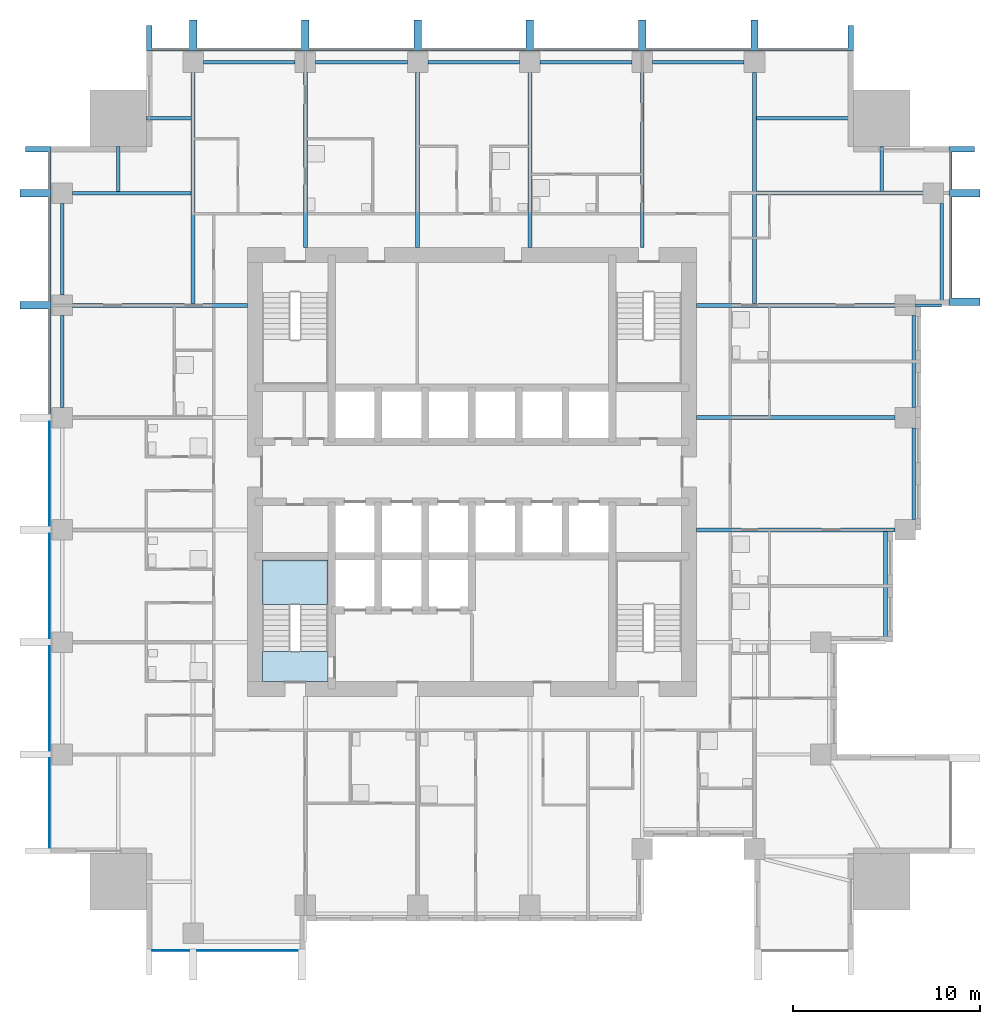
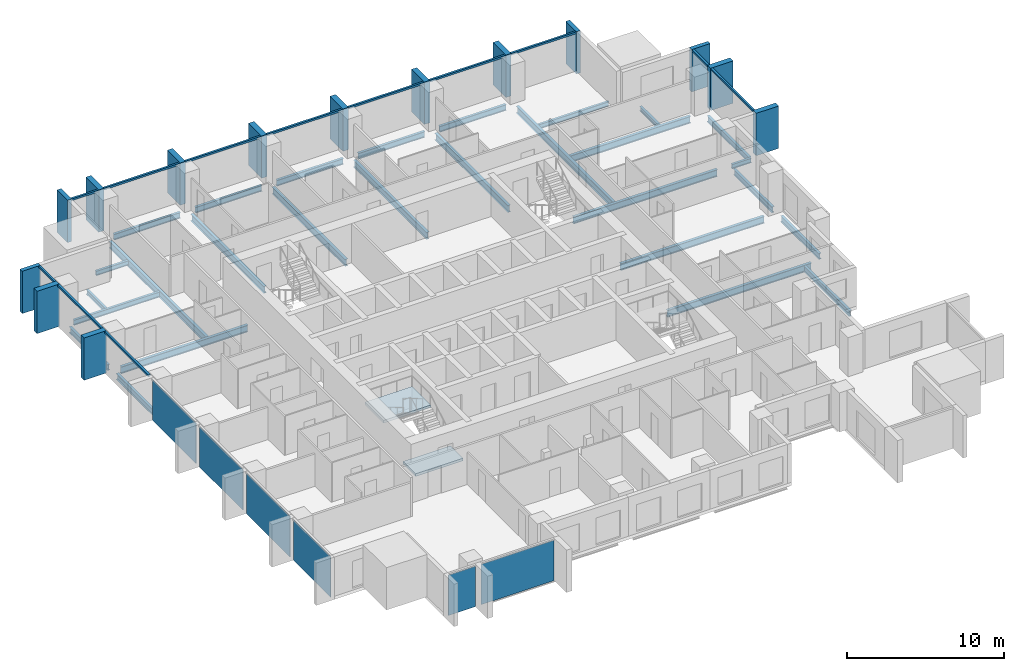
# One storey, part 2 of 10: 28 beams, 26 members, 6 plates, 2 slabs, 5 elements without a shape of their own.
"""IFC4 building model written with IfcOpenShell, lengths in metres."""

from ifc_helpers import new_model, si_unit, direction, frame, origin, origin_2d, place, context, subcontext, project, spatial, polyline, rectangle, i_section, outline, extrude, material, layer, layer_set, material_profile, profile_set, type_object, element, aggregate, save


model = new_model("IFC4")

# Units and contexts
model_context = context("Model", 3, precision=1e-05, world=origin(), true_north=direction((0.0, 1.0)))
body_context = subcontext(model_context, "Body", "Model", "MODEL_VIEW")
ifc_project = project(units=[si_unit("LENGTHUNIT", "METRE"), si_unit("AREAUNIT", "SQUARE_METRE"), si_unit("VOLUMEUNIT", "CUBIC_METRE"), si_unit("PLANEANGLEUNIT", "RADIAN"), si_unit("MASSUNIT", "GRAM", prefix="KILO")], contexts=[model_context])

# Site, building, storey
site_placement = place(None, origin())
site = spatial("IfcSite", under=ifc_project, at=site_placement, CompositionType="ELEMENT")
building_placement = place(site_placement, origin())
building = spatial("IfcBuilding", under=site, at=building_placement, Name="Amberfall Residences", CompositionType="ELEMENT")
storey_placement = place(building_placement, frame((0.0, 0.0, 105.10009765625)))
storey = spatial("IfcBuildingStorey", under=building, at=storey_placement, Name="L28", CompositionType="ELEMENT", Elevation=105.10009765625)

# Curtain wall, members
ifc_material_1 = material(Name="Bronze anodised aluminium and glass", Category="aluminium")
curtain_wall_type = type_object("IfcCurtainWallType", Name="Curtain wall CW1 tower unit", PredefinedType="USERDEFINED", material=ifc_material_1)
curtain_wall_1_placement = place(storey_placement, origin())
curtain_wall_1 = element("IfcCurtainWall", 1, at=curtain_wall_1_placement, inside=storey, type_object=curtain_wall_type, Name="Curtain wall L28 E E10", ObjectType="UNITISED CURTAIN WALL", PredefinedType="USERDEFINED")
ifc_material_2 = material(Name="Bronze anodised aluminium", Category="aluminium")
ifc_material_profile_1 = material_profile(ifc_material_2, rectangle(XDim=0.14990234375, YDim=0.14990234375, at=origin_2d()), Name="CW1 transom 150 x 150 bronze")
ifc_profile_set_1 = profile_set([ifc_material_profile_1], Name="Bronze anodised aluminium")
member_type_1 = type_object("IfcMemberType", Name="CW1 transom 150 x 150 bronze", PredefinedType="USERDEFINED", material=ifc_profile_set_1)
member_1_placement = place(storey_placement, frame((100.074951171875, 54.800048828125, 2.974853515625), z_axis=(0.0, 1.0, 0.0), x_axis=(-1.0, 0.0, 0.0)))
member_1 = element("IfcMember", 2, at=member_1_placement, type_object=member_type_1, Name="CW1 transom 1.1", ObjectType="TRANSOM", PredefinedType="USERDEFINED", context=body_context, shape_type="SweptSolid", body=[
    extrude(rectangle(XDim=0.14990234375, YDim=0.14990234375, at=origin_2d()), origin(), (0.0, 0.0, 1.0), 5.39990234375),
])
member_2_placement = place(storey_placement, frame((100.074951171875, 60.60009765625, 2.974853515625), z_axis=(0.0, 1.0, 0.0), x_axis=(-1.0, 0.0, 0.0)))
member_2 = element("IfcMember", 3, at=member_2_placement, type_object=member_type_1, Name="CW1 transom 2.1", ObjectType="TRANSOM", PredefinedType="USERDEFINED", context=body_context, shape_type="SweptSolid", body=[
    extrude(rectangle(XDim=0.14990234375, YDim=0.14990234375, at=origin_2d()), origin(), (0.0, 0.0, 1.0), 2.0),
])

curtain_wall_2_placement = place(storey_placement, origin())
curtain_wall_2 = element("IfcCurtainWall", 4, at=curtain_wall_2_placement, inside=storey, type_object=curtain_wall_type, Name="Curtain wall L28 N N1", ObjectType="UNITISED CURTAIN WALL", PredefinedType="USERDEFINED")
member_3_placement = place(storey_placement, frame((94.60009765625, 68.074951171875, 2.974853515625), z_axis=(-1.0, 0.0, 0.0), x_axis=(0.0, -1.0, 0.0)))
member_3 = element("IfcMember", 5, at=member_3_placement, type_object=member_type_1, Name="CW1 transom 1.1", ObjectType="TRANSOM", PredefinedType="USERDEFINED", context=body_context, shape_type="SweptSolid", body=[
    extrude(rectangle(XDim=0.14990234375, YDim=0.14990234375, at=origin_2d()), origin(), (0.0, 0.0, 1.0), 4.800048828125),
])
member_4_placement = place(storey_placement, frame((89.39990234375, 68.074951171875, 2.974853515625), z_axis=(-1.0, 0.0, 0.0), x_axis=(0.0, -1.0, 0.0)))
member_4 = element("IfcMember", 6, at=member_4_placement, type_object=member_type_1, Name="CW1 transom 2.1", ObjectType="TRANSOM", PredefinedType="USERDEFINED", context=body_context, shape_type="SweptSolid", body=[
    extrude(rectangle(XDim=0.14990234375, YDim=0.14990234375, at=origin_2d()), origin(), (0.0, 0.0, 1.0), 5.599853515625),
])
member_5_placement = place(storey_placement, frame((83.39990234375, 68.074951171875, 2.974853515625), z_axis=(-1.0, 0.0, 0.0), x_axis=(0.0, -1.0, 0.0)))
member_5 = element("IfcMember", 7, at=member_5_placement, type_object=member_type_1, Name="CW1 transom 3.1", ObjectType="TRANSOM", PredefinedType="USERDEFINED", context=body_context, shape_type="SweptSolid", body=[
    extrude(rectangle(XDim=0.14990234375, YDim=0.14990234375, at=origin_2d()), origin(), (0.0, 0.0, 1.0), 5.599853515625),
])
member_6_placement = place(storey_placement, frame((77.39990234375, 68.074951171875, 2.974853515625), z_axis=(-1.0, 0.0, 0.0), x_axis=(0.0, -1.0, 0.0)))
member_6 = element("IfcMember", 8, at=member_6_placement, type_object=member_type_1, Name="CW1 transom 4.1", ObjectType="TRANSOM", PredefinedType="USERDEFINED", context=body_context, shape_type="SweptSolid", body=[
    extrude(rectangle(XDim=0.14990234375, YDim=0.14990234375, at=origin_2d()), origin(), (0.0, 0.0, 1.0), 5.599853515625),
])
member_7_placement = place(storey_placement, frame((71.39990234375, 68.074951171875, 2.974853515625), z_axis=(-1.0, 0.0, 0.0), x_axis=(0.0, -1.0, 0.0)))
member_7 = element("IfcMember", 9, at=member_7_placement, type_object=member_type_1, Name="CW1 transom 5.1", ObjectType="TRANSOM", PredefinedType="USERDEFINED", context=body_context, shape_type="SweptSolid", body=[
    extrude(rectangle(XDim=0.14990234375, YDim=0.14990234375, at=origin_2d()), origin(), (0.0, 0.0, 1.0), 5.599853515625),
])
member_8_placement = place(storey_placement, frame((65.39990234375, 68.074951171875, 2.974853515625), z_axis=(-1.0, 0.0, 0.0), x_axis=(0.0, -1.0, 0.0)))
member_8 = element("IfcMember", 10, at=member_8_placement, type_object=member_type_1, Name="CW1 transom 6.1", ObjectType="TRANSOM", PredefinedType="USERDEFINED", context=body_context, shape_type="SweptSolid", body=[
    extrude(rectangle(XDim=0.14990234375, YDim=0.14990234375, at=origin_2d()), origin(), (0.0, 0.0, 1.0), 5.599853515625),
])
member_9_placement = place(storey_placement, frame((59.39990234375, 68.074951171875, 2.974853515625), z_axis=(-1.0, 0.0, 0.0), x_axis=(0.0, -1.0, 0.0)))
member_9 = element("IfcMember", 11, at=member_9_placement, type_object=member_type_1, Name="CW1 transom 7.1", ObjectType="TRANSOM", PredefinedType="USERDEFINED", context=body_context, shape_type="SweptSolid", body=[
    extrude(rectangle(XDim=0.14990234375, YDim=0.14990234375, at=origin_2d()), origin(), (0.0, 0.0, 1.0), 2.0),
])

curtain_wall_3_placement = place(storey_placement, origin())
curtain_wall_3 = element("IfcCurtainWall", 12, at=curtain_wall_3_placement, inside=storey, type_object=curtain_wall_type, Name="Curtain wall L28 W W1", ObjectType="UNITISED CURTAIN WALL", PredefinedType="USERDEFINED")
member_10_placement = place(storey_placement, frame((51.925048828125, 62.60009765625, 2.974853515625), z_axis=(0.0, -1.0, 0.0), x_axis=(1.0, 0.0, 0.0)))
member_10 = element("IfcMember", 13, at=member_10_placement, type_object=member_type_1, Name="CW1 transom 1.1", ObjectType="TRANSOM", PredefinedType="USERDEFINED", context=body_context, shape_type="SweptSolid", body=[
    extrude(rectangle(XDim=0.14990234375, YDim=0.14990234375, at=origin_2d()), origin(), (0.0, 0.0, 1.0), 2.0),
])
member_11_placement = place(storey_placement, frame((51.925048828125, 60.199951171875, 2.974853515625), z_axis=(0.0, -1.0, 0.0), x_axis=(1.0, 0.0, 0.0)))
member_11 = element("IfcMember", 14, at=member_11_placement, type_object=member_type_1, Name="CW1 transom 2.1", ObjectType="TRANSOM", PredefinedType="USERDEFINED", context=body_context, shape_type="SweptSolid", body=[
    extrude(rectangle(XDim=0.14990234375, YDim=0.14990234375, at=origin_2d()), origin(), (0.0, 0.0, 1.0), 5.599853515625),
])
member_12_placement = place(storey_placement, frame((51.925048828125, 54.199951171875, 2.974853515625), z_axis=(0.0, -1.0, 0.0), x_axis=(1.0, 0.0, 0.0)))
member_12 = element("IfcMember", 15, at=member_12_placement, type_object=member_type_1, Name="CW1 transom 3.1", ObjectType="TRANSOM", PredefinedType="USERDEFINED", context=body_context, shape_type="SweptSolid", body=[
    extrude(rectangle(XDim=0.14990234375, YDim=0.14990234375, at=origin_2d()), origin(), (0.0, 0.0, 1.0), 5.599853515625),
])

# Beam
ifc_material_3 = material(Name="Steel S355", Category="steel")
ifc_material_profile_2 = material_profile(ifc_material_3, i_section(OverallWidth=0.171142578125, OverallDepth=0.351318359375, WebThickness=0.007080078125, FlangeThickness=0.009765625, FilletRadius=0.01025390625, at=origin_2d()), Name="UB 356x171x45")
ifc_profile_set_2 = profile_set([ifc_material_profile_2], Name="Steel S355")
beam_type_1 = type_object("IfcBeamType", Name="Cantilever girder UB 356x171x45", PredefinedType="BEAM", material=ifc_profile_set_2)
beam_1_placement = place(storey_placement, frame((98.199951171875, 54.39990234375, -0.42578125), z_axis=(1.0, 0.0, 0.0), x_axis=(0.0, 1.0, 0.0)))
element("IfcBeam", 16, at=beam_1_placement, inside=storey, type_object=beam_type_1, Name="Cantilever girder B8 L28 20", PredefinedType="BEAM", context=body_context, shape_type="SweptSolid", body=[
    extrude(i_section(OverallWidth=0.171142578125, OverallDepth=0.351318359375, WebThickness=0.007080078125, FlangeThickness=0.009765625, FilletRadius=0.01025390625, at=origin_2d()), origin(), (0.0, 0.0, 1.0), 1.400146484375),
])

# Member
ifc_material_profile_3 = material_profile(ifc_material_2, rectangle(XDim=1.35009765625, YDim=0.300048828125, at=origin_2d()), Name="Corner fin 300 x 1350 bronze")
ifc_profile_set_3 = profile_set([ifc_material_profile_3], Name="Bronze anodised aluminium")
member_type_2 = type_object("IfcMemberType", Name="Corner fin 300 x 1350 bronze", PredefinedType="MULLION", material=ifc_profile_set_3)
member_13_placement = place(storey_placement, frame((100.675048828125, 62.75, -0.25), z_axis=(0.0, 0.0, 1.0), x_axis=(-1.0, 0.0, 0.0)))
member_13 = element("IfcMember", 17, at=member_13_placement, type_object=member_type_2, Name="CW FIN 3", PredefinedType="MULLION", context=body_context, shape_type="SweptSolid", body=[
    extrude(rectangle(XDim=1.35009765625, YDim=0.300048828125, at=origin_2d()), origin(), (0.0, 0.0, 1.0), 3.2998046875),
])

member_14_placement = place(storey_placement, frame((94.75, 68.675048828125, -0.25), z_axis=(0.0, 0.0, 1.0), x_axis=(0.0, -1.0, 0.0)))
member_14 = element("IfcMember", 18, at=member_14_placement, type_object=member_type_2, Name="CW FIN 1", PredefinedType="MULLION", context=body_context, shape_type="SweptSolid", body=[
    extrude(rectangle(XDim=1.35009765625, YDim=0.300048828125, at=origin_2d()), origin(), (0.0, 0.0, 1.0), 3.2998046875),
])

member_15_placement = place(storey_placement, frame((57.25, 68.675048828125, -0.25), z_axis=(0.0, 0.0, 1.0), x_axis=(0.0, -1.0, 0.0)))
member_15 = element("IfcMember", 19, at=member_15_placement, type_object=member_type_2, Name="CW FIN 8", PredefinedType="MULLION", context=body_context, shape_type="SweptSolid", body=[
    extrude(rectangle(XDim=1.35009765625, YDim=0.300048828125, at=origin_2d()), origin(), (0.0, 0.0, 1.0), 3.2998046875),
])

member_16_placement = place(storey_placement, frame((51.324951171875, 62.75, -0.25), z_axis=(0.0, 0.0, 1.0), x_axis=(1.0, 0.0, 0.0)))
member_16 = element("IfcMember", 20, at=member_16_placement, type_object=member_type_2, Name="CW FIN 1", PredefinedType="MULLION", context=body_context, shape_type="SweptSolid", body=[
    extrude(rectangle(XDim=1.35009765625, YDim=0.300048828125, at=origin_2d()), origin(), (0.0, 0.0, 1.0), 3.2998046875),
])

# Beams
ifc_material_profile_4 = material_profile(ifc_material_3, i_section(OverallWidth=0.18994140625, OverallDepth=0.453369140625, WebThickness=0.008544921875, FlangeThickness=0.0126953125, FilletRadius=0.01025390625, at=origin_2d()), Name="UB 457x191x67")
ifc_profile_set_4 = profile_set([ifc_material_profile_4], Name="Steel S355")
beam_type_2 = type_object("IfcBeamType", Name="Edge beam UB 457x191x67", PredefinedType="SPANDREL", material=ifc_profile_set_4)
beam_2_placement = place(storey_placement, frame((96.60009765625, 36.47998046875, -0.476806640625), z_axis=(0.0, 1.0, 0.0), x_axis=(-1.0, 0.0, 0.0)))
element("IfcBeam", 21, at=beam_2_placement, inside=storey, type_object=beam_type_2, Name="Edge beam B1 L28 15", PredefinedType="SPANDREL", context=body_context, shape_type="SweptSolid", body=[
    extrude(i_section(OverallWidth=0.18994140625, OverallDepth=0.453369140625, WebThickness=0.008544921875, FlangeThickness=0.0126953125, FilletRadius=0.01025390625, at=origin_2d()), origin(), (0.0, 0.0, 1.0), 5.840087890625),
])
for number, where, z_axis, x_axis, name in (
    (22, (98.10009765625, 42.949951171875, -0.476806640625), (0.0, 1.0, 0.0), (-1.0, 0.0, 0.0), "Edge beam B1 L28 16"),
    (23, (98.10009765625, 48.949951171875, -0.476806640625), (0.0, 1.0, 0.0), (-1.0, 0.0, 0.0), "Edge beam B1 L28 17"),
):
    element("IfcBeam", number, at=place(storey_placement, frame(where, z_axis=z_axis, x_axis=x_axis)), inside=storey, type_object=beam_type_2, Name=name, PredefinedType="SPANDREL", context=body_context, shape_type="SweptSolid", body=[
        extrude(i_section(OverallWidth=0.18994140625, OverallDepth=0.453369140625, WebThickness=0.008544921875, FlangeThickness=0.0126953125, FilletRadius=0.01025390625, at=origin_2d()), origin(), (0.0, 0.0, 1.0), 4.900146484375),
    ])
beam_3_placement = place(storey_placement, frame((99.60009765625, 54.47998046875, -0.476806640625), z_axis=(0.0, 1.0, 0.0), x_axis=(-1.0, 0.0, 0.0)))
element("IfcBeam", 24, at=beam_3_placement, inside=storey, type_object=beam_type_2, Name="Edge beam B1 L28 18", PredefinedType="SPANDREL", context=body_context, shape_type="SweptSolid", body=[
    extrude(i_section(OverallWidth=0.18994140625, OverallDepth=0.453369140625, WebThickness=0.008544921875, FlangeThickness=0.0126953125, FilletRadius=0.01025390625, at=origin_2d()), origin(), (0.0, 0.0, 1.0), 5.3701171875),
])
for number, where, z_axis, x_axis, name in (
    (25, (60.14990234375, 67.39990234375, -0.476806640625), (1.0, 0.0, 0.0), (0.0, 1.0, 0.0), "Edge beam B1 L28 27"),
    (26, (66.14990234375, 67.39990234375, -0.476806640625), (1.0, 0.0, 0.0), (0.0, 1.0, 0.0), "Edge beam B1 L28 28"),
    (27, (72.14990234375, 67.39990234375, -0.476806640625), (1.0, 0.0, 0.0), (0.0, 1.0, 0.0), "Edge beam B1 L28 29"),
    (28, (78.14990234375, 67.39990234375, -0.476806640625), (1.0, 0.0, 0.0), (0.0, 1.0, 0.0), "Edge beam B1 L28 30"),
    (29, (84.14990234375, 67.39990234375, -0.476806640625), (1.0, 0.0, 0.0), (0.0, 1.0, 0.0), "Edge beam B1 L28 31"),
    (30, (52.60009765625, 48.949951171875, -0.476806640625), (0.0, 1.0, 0.0), (-1.0, 0.0, 0.0), "Edge beam B1 L28 41"),
    (31, (52.60009765625, 54.949951171875, -0.476806640625), (0.0, 1.0, 0.0), (-1.0, 0.0, 0.0), "Edge beam B1 L28 42"),
):
    element("IfcBeam", number, at=place(storey_placement, frame(where, z_axis=z_axis, x_axis=x_axis)), inside=storey, type_object=beam_type_2, Name=name, PredefinedType="SPANDREL", context=body_context, shape_type="SweptSolid", body=[
        extrude(i_section(OverallWidth=0.18994140625, OverallDepth=0.453369140625, WebThickness=0.008544921875, FlangeThickness=0.0126953125, FilletRadius=0.01025390625, at=origin_2d()), origin(), (0.0, 0.0, 1.0), 4.900146484375),
    ])

# Member
ifc_material_profile_5 = material_profile(ifc_material_2, rectangle(XDim=1.64990234375, YDim=0.39990234375, at=origin_2d()), Name="Fin 400 x 1650 bronze")
ifc_profile_set_5 = profile_set([ifc_material_profile_5], Name="Bronze anodised aluminium")
member_type_3 = type_object("IfcMemberType", Name="Fin 400 x 1650 bronze", PredefinedType="MULLION", material=ifc_profile_set_5)
member_17_placement = place(storey_placement, frame((100.824951171875, 54.60009765625, -0.25), z_axis=(0.0, 0.0, 1.0), x_axis=(-1.0, 0.0, 0.0)))
member_17 = element("IfcMember", 32, at=member_17_placement, type_object=member_type_3, Name="CW FIN 1", PredefinedType="MULLION", context=body_context, shape_type="SweptSolid", body=[
    extrude(rectangle(XDim=1.64990234375, YDim=0.39990234375, at=origin_2d()), origin(), (0.0, 0.0, 1.0), 3.2998046875),
])

member_18_placement = place(storey_placement, frame((100.824951171875, 60.39990234375, -0.25), z_axis=(0.0, 0.0, 1.0), x_axis=(-1.0, 0.0, 0.0)))
member_18 = element("IfcMember", 33, at=member_18_placement, type_object=member_type_3, Name="CW FIN 2", PredefinedType="MULLION", context=body_context, shape_type="SweptSolid", body=[
    extrude(rectangle(XDim=1.64990234375, YDim=0.39990234375, at=origin_2d()), origin(), (0.0, 0.0, 1.0), 3.2998046875),
])

aggregate(curtain_wall_1, [member_17, member_18, member_13, member_1, member_2])

member_19_placement = place(storey_placement, frame((89.60009765625, 68.824951171875, -0.25), z_axis=(0.0, 0.0, 1.0), x_axis=(0.0, -1.0, 0.0)))
member_19 = element("IfcMember", 34, at=member_19_placement, type_object=member_type_3, Name="CW FIN 2", PredefinedType="MULLION", context=body_context, shape_type="SweptSolid", body=[
    extrude(rectangle(XDim=1.64990234375, YDim=0.39990234375, at=origin_2d()), origin(), (0.0, 0.0, 1.0), 3.2998046875),
])

member_20_placement = place(storey_placement, frame((83.60009765625, 68.824951171875, -0.25), z_axis=(0.0, 0.0, 1.0), x_axis=(0.0, -1.0, 0.0)))
member_20 = element("IfcMember", 35, at=member_20_placement, type_object=member_type_3, Name="CW FIN 3", PredefinedType="MULLION", context=body_context, shape_type="SweptSolid", body=[
    extrude(rectangle(XDim=1.64990234375, YDim=0.39990234375, at=origin_2d()), origin(), (0.0, 0.0, 1.0), 3.2998046875),
])

member_21_placement = place(storey_placement, frame((77.60009765625, 68.824951171875, -0.25), z_axis=(0.0, 0.0, 1.0), x_axis=(0.0, -1.0, 0.0)))
member_21 = element("IfcMember", 36, at=member_21_placement, type_object=member_type_3, Name="CW FIN 4", PredefinedType="MULLION", context=body_context, shape_type="SweptSolid", body=[
    extrude(rectangle(XDim=1.64990234375, YDim=0.39990234375, at=origin_2d()), origin(), (0.0, 0.0, 1.0), 3.2998046875),
])

member_22_placement = place(storey_placement, frame((71.60009765625, 68.824951171875, -0.25), z_axis=(0.0, 0.0, 1.0), x_axis=(0.0, -1.0, 0.0)))
member_22 = element("IfcMember", 37, at=member_22_placement, type_object=member_type_3, Name="CW FIN 5", PredefinedType="MULLION", context=body_context, shape_type="SweptSolid", body=[
    extrude(rectangle(XDim=1.64990234375, YDim=0.39990234375, at=origin_2d()), origin(), (0.0, 0.0, 1.0), 3.2998046875),
])

member_23_placement = place(storey_placement, frame((65.60009765625, 68.824951171875, -0.25), z_axis=(0.0, 0.0, 1.0), x_axis=(0.0, -1.0, 0.0)))
member_23 = element("IfcMember", 38, at=member_23_placement, type_object=member_type_3, Name="CW FIN 6", PredefinedType="MULLION", context=body_context, shape_type="SweptSolid", body=[
    extrude(rectangle(XDim=1.64990234375, YDim=0.39990234375, at=origin_2d()), origin(), (0.0, 0.0, 1.0), 3.2998046875),
])

member_24_placement = place(storey_placement, frame((59.60009765625, 68.824951171875, -0.25), z_axis=(0.0, 0.0, 1.0), x_axis=(0.0, -1.0, 0.0)))
member_24 = element("IfcMember", 39, at=member_24_placement, type_object=member_type_3, Name="CW FIN 7", PredefinedType="MULLION", context=body_context, shape_type="SweptSolid", body=[
    extrude(rectangle(XDim=1.64990234375, YDim=0.39990234375, at=origin_2d()), origin(), (0.0, 0.0, 1.0), 3.2998046875),
])

aggregate(curtain_wall_2, [member_14, member_19, member_20, member_21, member_22, member_23, member_24, member_15, member_3, member_4, member_5, member_6, member_7, member_8, member_9])

member_25_placement = place(storey_placement, frame((51.175048828125, 60.39990234375, -0.25), z_axis=(0.0, 0.0, 1.0), x_axis=(1.0, 0.0, 0.0)))
member_25 = element("IfcMember", 40, at=member_25_placement, type_object=member_type_3, Name="CW FIN 2", PredefinedType="MULLION", context=body_context, shape_type="SweptSolid", body=[
    extrude(rectangle(XDim=1.64990234375, YDim=0.39990234375, at=origin_2d()), origin(), (0.0, 0.0, 1.0), 3.2998046875),
])

member_26_placement = place(storey_placement, frame((51.175048828125, 54.39990234375, -0.25), z_axis=(0.0, 0.0, 1.0), x_axis=(1.0, 0.0, 0.0)))
member_26 = element("IfcMember", 41, at=member_26_placement, type_object=member_type_3, Name="CW FIN 3", PredefinedType="MULLION", context=body_context, shape_type="SweptSolid", body=[
    extrude(rectangle(XDim=1.64990234375, YDim=0.39990234375, at=origin_2d()), origin(), (0.0, 0.0, 1.0), 3.2998046875),
])

# Beams
ifc_material_profile_6 = material_profile(ifc_material_3, i_section(OverallWidth=0.177734375, OverallDepth=0.402587890625, WebThickness=0.0078125, FlangeThickness=0.010986328125, FilletRadius=0.01025390625, at=origin_2d()), Name="UB 406x178x54")
ifc_profile_set_6 = profile_set([ifc_material_profile_6], Name="Steel S355")
beam_type_3 = type_object("IfcBeamType", Name="Floor girder UB 406x178x54", PredefinedType="BEAM", material=ifc_profile_set_6)
beam_4_placement = place(storey_placement, frame((53.14990234375, 60.39990234375, -0.451416015625), z_axis=(1.0, 0.0, 0.0), x_axis=(0.0, 1.0, 0.0)))
element("IfcBeam", 42, at=beam_4_placement, inside=storey, type_object=beam_type_3, Name="Floor girder B4 L28 48", PredefinedType="BEAM", context=body_context, shape_type="SweptSolid", body=[
    extrude(i_section(OverallWidth=0.177734375, OverallDepth=0.402587890625, WebThickness=0.0078125, FlangeThickness=0.010986328125, FilletRadius=0.01025390625, at=origin_2d()), origin(), (0.0, 0.0, 1.0), 6.330078125),
])
ifc_material_profile_7 = material_profile(ifc_material_3, i_section(OverallWidth=0.210693359375, OverallDepth=0.53955078125, WebThickness=0.01171875, FlangeThickness=0.018798828125, FilletRadius=0.0126953125, at=origin_2d()), Name="UB 533x210x109")
ifc_profile_set_7 = profile_set([ifc_material_profile_7], Name="Steel S355")
beam_type_4 = type_object("IfcBeamType", Name="Floor girder UB 533x210x109", PredefinedType="BEAM", material=ifc_profile_set_7)
for number, where, z_axis, x_axis, name in (
    (43, (59.60009765625, 66.85009765625, -0.519775390625), (0.0, -1.0, 0.0), (1.0, 0.0, 0.0), "Floor girder B2 L28 32"),
    (44, (89.60009765625, 66.85009765625, -0.519775390625), (0.0, -1.0, 0.0), (1.0, 0.0, 0.0), "Floor girder B2 L28 37"),
):
    element("IfcBeam", number, at=place(storey_placement, frame(where, z_axis=z_axis, x_axis=x_axis)), inside=storey, type_object=beam_type_4, Name=name, PredefinedType="BEAM", context=body_context, shape_type="SweptSolid", body=[
        extrude(i_section(OverallWidth=0.210693359375, OverallDepth=0.53955078125, WebThickness=0.01171875, FlangeThickness=0.018798828125, FilletRadius=0.0126953125, at=origin_2d()), origin(), (0.0, 0.0, 1.0), 12.3505859375),
    ])
ifc_material_profile_8 = material_profile(ifc_material_3, i_section(OverallWidth=0.209228515625, OverallDepth=0.533203125, WebThickness=0.010009765625, FlangeThickness=0.015625, FilletRadius=0.0126953125, at=origin_2d()), Name="UB 533x210x92")
ifc_profile_set_8 = profile_set([ifc_material_profile_8], Name="Steel S355")
beam_type_5 = type_object("IfcBeamType", Name="Floor girder UB 533x210x92", PredefinedType="BEAM", material=ifc_profile_set_8)
for number, where, z_axis, x_axis, name in (
    (45, (97.10009765625, 42.39990234375, -0.5166015625), (-1.0, 0.0, 0.0), (0.0, -1.0, 0.0), "Floor girder B3 L28 23"),
    (46, (97.10009765625, 48.39990234375, -0.5166015625), (-1.0, 0.0, 0.0), (0.0, -1.0, 0.0), "Floor girder B3 L28 24"),
    (47, (97.10009765625, 54.39990234375, -0.5166015625), (-1.0, 0.0, 0.0), (0.0, -1.0, 0.0), "Floor girder B3 L28 25"),
):
    element("IfcBeam", number, at=place(storey_placement, frame(where, z_axis=z_axis, x_axis=x_axis)), inside=storey, type_object=beam_type_5, Name=name, PredefinedType="BEAM", context=body_context, shape_type="SweptSolid", body=[
        extrude(i_section(OverallWidth=0.209228515625, OverallDepth=0.533203125, WebThickness=0.010009765625, FlangeThickness=0.015625, FilletRadius=0.0126953125, at=origin_2d()), origin(), (0.0, 0.0, 1.0), 10.60009765625),
    ])
beam_5_placement = place(storey_placement, frame((98.60009765625, 60.39990234375, -0.5166015625), z_axis=(-1.0, 0.0, 0.0), x_axis=(0.0, -1.0, 0.0)))
element("IfcBeam", 48, at=beam_5_placement, inside=storey, type_object=beam_type_5, Name="Floor girder B3 L28 26", PredefinedType="BEAM", context=body_context, shape_type="SweptSolid", body=[
    extrude(i_section(OverallWidth=0.209228515625, OverallDepth=0.533203125, WebThickness=0.010009765625, FlangeThickness=0.015625, FilletRadius=0.0126953125, at=origin_2d()), origin(), (0.0, 0.0, 1.0), 8.880126953125),
])
for number, where, z_axis, x_axis, name in (
    (49, (65.60009765625, 66.85009765625, -0.5166015625), (0.0, -1.0, 0.0), (1.0, 0.0, 0.0), "Floor girder B3 L28 33"),
    (50, (71.60009765625, 66.85009765625, -0.5166015625), (0.0, -1.0, 0.0), (1.0, 0.0, 0.0), "Floor girder B3 L28 34"),
    (51, (77.60009765625, 66.85009765625, -0.5166015625), (0.0, -1.0, 0.0), (1.0, 0.0, 0.0), "Floor girder B3 L28 35"),
    (52, (83.60009765625, 66.85009765625, -0.5166015625), (0.0, -1.0, 0.0), (1.0, 0.0, 0.0), "Floor girder B3 L28 36"),
    (53, (53.14990234375, 54.39990234375, -0.5166015625), (1.0, 0.0, 0.0), (0.0, 1.0, 0.0), "Floor girder B3 L28 47"),
):
    element("IfcBeam", number, at=place(storey_placement, frame(where, z_axis=z_axis, x_axis=x_axis)), inside=storey, type_object=beam_type_5, Name=name, PredefinedType="BEAM", context=body_context, shape_type="SweptSolid", body=[
        extrude(i_section(OverallWidth=0.209228515625, OverallDepth=0.533203125, WebThickness=0.010009765625, FlangeThickness=0.015625, FilletRadius=0.0126953125, at=origin_2d()), origin(), (0.0, 0.0, 1.0), 9.35009765625),
    ])
ifc_material_profile_9 = material_profile(ifc_material_3, i_section(OverallWidth=0.171142578125, OverallDepth=0.351318359375, WebThickness=0.007080078125, FlangeThickness=0.009765625, FilletRadius=0.01025390625, at=origin_2d()), Name="UB 356x171x45")
ifc_profile_set_9 = profile_set([ifc_material_profile_9], Name="Steel S355")
beam_type_6 = type_object("IfcBeamType", Name="Link beam UB 356x171x45", PredefinedType="BEAM", material=ifc_profile_set_9)
beam_6_placement = place(storey_placement, frame((94.89990234375, 64.39990234375, -0.42578125), z_axis=(-1.0, 0.0, 0.0), x_axis=(0.0, -1.0, 0.0)))
element("IfcBeam", 54, at=beam_6_placement, inside=storey, type_object=beam_type_6, Name="Link beam B7 L28 54", PredefinedType="BEAM", context=body_context, shape_type="SweptSolid", body=[
    extrude(i_section(OverallWidth=0.171142578125, OverallDepth=0.351318359375, WebThickness=0.007080078125, FlangeThickness=0.009765625, FilletRadius=0.01025390625, at=origin_2d()), origin(), (0.0, 0.0, 1.0), 5.20458984375),
])
beam_7_placement = place(storey_placement, frame((96.39990234375, 62.89990234375, -0.42578125), z_axis=(0.0, -1.0, 0.0), x_axis=(1.0, 0.0, 0.0)))
element("IfcBeam", 55, at=beam_7_placement, inside=storey, type_object=beam_type_6, Name="Link beam B7 L28 55", PredefinedType="BEAM", context=body_context, shape_type="SweptSolid", body=[
    extrude(i_section(OverallWidth=0.171142578125, OverallDepth=0.351318359375, WebThickness=0.007080078125, FlangeThickness=0.009765625, FilletRadius=0.01025390625, at=origin_2d()), origin(), (0.0, 0.0, 1.0), 2.4052734375),
])
beam_8_placement = place(storey_placement, frame((57.10009765625, 64.39990234375, -0.42578125), z_axis=(1.0, 0.0, 0.0), x_axis=(0.0, 1.0, 0.0)))
element("IfcBeam", 56, at=beam_8_placement, inside=storey, type_object=beam_type_6, Name="Link beam B7 L28 56", PredefinedType="BEAM", context=body_context, shape_type="SweptSolid", body=[
    extrude(i_section(OverallWidth=0.171142578125, OverallDepth=0.351318359375, WebThickness=0.007080078125, FlangeThickness=0.009765625, FilletRadius=0.01025390625, at=origin_2d()), origin(), (0.0, 0.0, 1.0), 2.404541015625),
])
beam_9_placement = place(storey_placement, frame((55.60009765625, 62.89990234375, -0.42578125), z_axis=(0.0, -1.0, 0.0), x_axis=(1.0, 0.0, 0.0)))
element("IfcBeam", 57, at=beam_9_placement, inside=storey, type_object=beam_type_6, Name="Link beam B7 L28 57", PredefinedType="BEAM", context=body_context, shape_type="SweptSolid", body=[
    extrude(i_section(OverallWidth=0.171142578125, OverallDepth=0.351318359375, WebThickness=0.007080078125, FlangeThickness=0.009765625, FilletRadius=0.01025390625, at=origin_2d()), origin(), (0.0, 0.0, 1.0), 2.4208984375),
])

# Curtain wall, plates
curtain_wall_4_placement = place(storey_placement, origin())
curtain_wall_4 = element("IfcCurtainWall", 58, at=curtain_wall_4_placement, inside=storey, type_object=curtain_wall_type, Name="Curtain wall L28 S S1", ObjectType="UNITISED CURTAIN WALL", PredefinedType="USERDEFINED")
ifc_material_4 = material(Name="Tinted double glazed unit", Category="glass")
ifc_layer_1 = layer(ifc_material_4, 0.035888671875)
ifc_layer_set_1 = layer_set([ifc_layer_1], Name="CW1 panel 36 glazing")
plate_type = type_object("IfcPlateType", Name="CW1 panel 36 glazing", PredefinedType="CURTAIN_PANEL", material=ifc_layer_set_1)
plate_1_placement = place(storey_placement, frame((58.39990234375, 19.925048828125, -0.25), z_axis=(0.0, 0.0, 1.0), x_axis=(1.0, 0.0, 0.0)))
plate_1 = element("IfcPlate", 59, at=plate_1_placement, type_object=plate_type, Name="CW1 panel 1.1", PredefinedType="CURTAIN_PANEL", context=body_context, shape_type="SweptSolid", body=[
    extrude(rectangle(XDim=1.97607421875, YDim=0.035888671875, at=origin_2d()), origin(), (0.0, 0.0, 1.0), 3.14990234375),
])
plate_2_placement = place(storey_placement, frame((62.5, 19.925048828125, -0.25), z_axis=(0.0, 0.0, 1.0), x_axis=(1.0, 0.0, 0.0)))
plate_2 = element("IfcPlate", 60, at=plate_2_placement, type_object=plate_type, Name="CW1 panel 2.1", PredefinedType="CURTAIN_PANEL", context=body_context, shape_type="SweptSolid", body=[
    extrude(rectangle(XDim=5.3759765625, YDim=0.035888671875, at=origin_2d()), origin(), (0.0, 0.0, 1.0), 3.14990234375),
])
aggregate(curtain_wall_4, [plate_1, plate_2])

# Plate
plate_3_placement = place(storey_placement, frame((51.925048828125, 45.39990234375, -0.25), z_axis=(0.0, 0.0, 1.0), x_axis=(0.0, -1.0, 0.0)))
plate_3 = element("IfcPlate", 61, at=plate_3_placement, type_object=plate_type, Name="CW1 panel 4.1", PredefinedType="CURTAIN_PANEL", context=body_context, shape_type="SweptSolid", body=[
    extrude(rectangle(XDim=5.575927734375, YDim=0.035888671875, at=origin_2d()), origin(), (0.0, 0.0, 1.0), 3.14990234375),
])

plate_4_placement = place(storey_placement, frame((51.925048828125, 39.39990234375, -0.25), z_axis=(0.0, 0.0, 1.0), x_axis=(0.0, -1.0, 0.0)))
plate_4 = element("IfcPlate", 62, at=plate_4_placement, type_object=plate_type, Name="CW1 panel 5.1", PredefinedType="CURTAIN_PANEL", context=body_context, shape_type="SweptSolid", body=[
    extrude(rectangle(XDim=5.575927734375, YDim=0.035888671875, at=origin_2d()), origin(), (0.0, 0.0, 1.0), 3.14990234375),
])

plate_5_placement = place(storey_placement, frame((51.925048828125, 33.39990234375, -0.25), z_axis=(0.0, 0.0, 1.0), x_axis=(0.0, -1.0, 0.0)))
plate_5 = element("IfcPlate", 63, at=plate_5_placement, type_object=plate_type, Name="CW1 panel 6.1", PredefinedType="CURTAIN_PANEL", context=body_context, shape_type="SweptSolid", body=[
    extrude(rectangle(XDim=5.575927734375, YDim=0.035888671875, at=origin_2d()), origin(), (0.0, 0.0, 1.0), 3.14990234375),
])

plate_6_placement = place(storey_placement, frame((51.925048828125, 27.800048828125, -0.25), z_axis=(0.0, 0.0, 1.0), x_axis=(0.0, -1.0, 0.0)))
plate_6 = element("IfcPlate", 64, at=plate_6_placement, type_object=plate_type, Name="CW1 panel 7.1", PredefinedType="CURTAIN_PANEL", context=body_context, shape_type="SweptSolid", body=[
    extrude(rectangle(XDim=4.77587890625, YDim=0.035888671875, at=origin_2d()), origin(), (0.0, 0.0, 1.0), 3.14990234375),
])

aggregate(curtain_wall_3, [member_16, member_25, member_26, member_10, member_11, member_12, plate_3, plate_4, plate_5, plate_6])

# Stair, slabs
ifc_material_5 = material(Name="Concrete C40", Category="concrete")
stair_type = type_object("IfcStairType", Name="Exit stair 20 risers 165.0 mm", PredefinedType="HALF_TURN_STAIR", material=ifc_material_5)
stair_placement = place(storey_placement, origin())
stair = element("IfcStair", 65, at=stair_placement, inside=storey, type_object=stair_type, Name="L28 Exit stair 1", PredefinedType="HALF_TURN_STAIR")
ifc_layer_2 = layer(ifc_material_5, 0.199951171875)
ifc_layer_set_2 = layer_set([ifc_layer_2], Name="Stair landing 200")
slab_type = type_object("IfcSlabType", Name="Stair landing 200", PredefinedType="LANDING", material=ifc_layer_set_2)
slab_1_placement = place(storey_placement, frame((0.0, 0.0, 1.449951171875)))
slab_1 = element("IfcSlab", 66, at=slab_1_placement, type_object=slab_type, Name="ST3 landing 1", PredefinedType="LANDING", context=body_context, shape_type="SweptSolid", body=[
    extrude(outline(polyline([(66.800048828125, 38.419921875), (66.800048828125, 40.800048828125), (63.300048828125, 40.800048828125), (63.300048828125, 38.419921875), (66.800048828125, 38.419921875)])), origin(), (0.0, 0.0, 1.0), 0.199951171875),
])
slab_2_placement = place(storey_placement, frame((0.0, 0.0, -0.2001953125)))
slab_2 = element("IfcSlab", 67, at=slab_2_placement, type_object=slab_type, Name="ST3 landing 2", PredefinedType="LANDING", context=body_context, shape_type="SweptSolid", body=[
    extrude(outline(polyline([(66.800048828125, 34.300048828125), (66.800048828125, 35.89990234375), (63.300048828125, 35.89990234375), (63.300048828125, 34.300048828125), (66.800048828125, 34.300048828125)])), origin(), (0.0, 0.0, 1.0), 0.2001953125),
])
aggregate(stair, [slab_1, slab_2])

save(model, "model.ifc")
